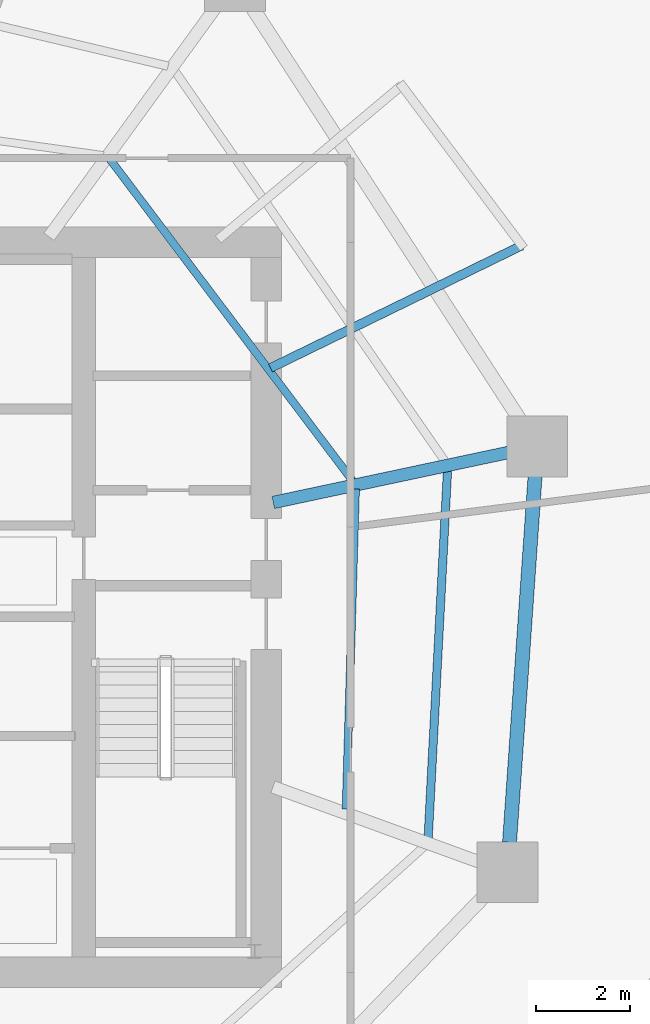
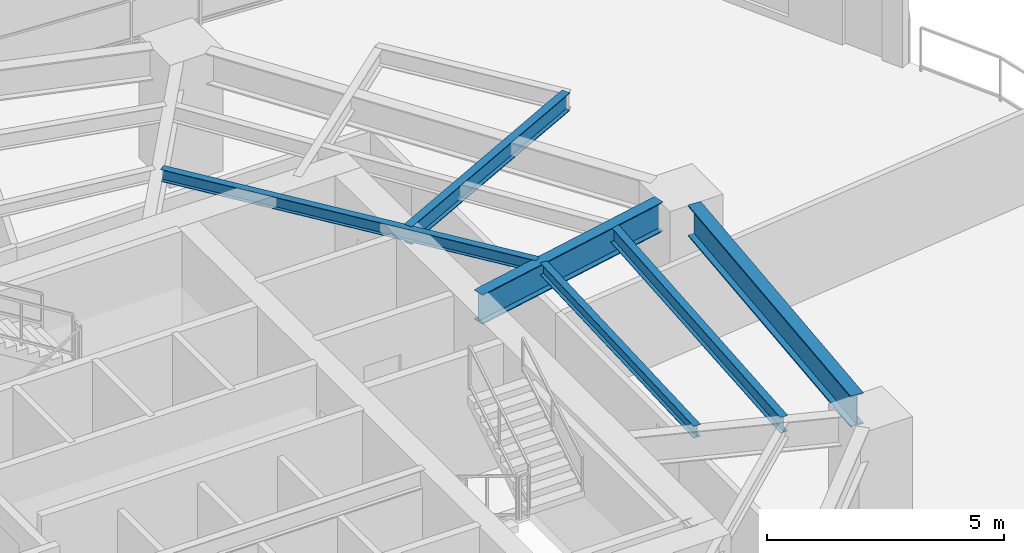
# One storey, part 12 of 28: 6 beams.
"""IFC4 building model written with IfcOpenShell, lengths in metres."""

from ifc_helpers import new_model, si_unit, direction, frame, origin, origin_2d, place, context, subcontext, project, spatial, i_section, extrude, material, material_profile, profile_set, type_object, element, save


model = new_model("IFC4")

# Units and contexts
model_context = context("Model", 3, precision=1e-05, world=origin(), true_north=direction((0.0, 1.0)))
body_context = subcontext(model_context, "Body", "Model", "MODEL_VIEW")
ifc_project = project(units=[si_unit("LENGTHUNIT", "METRE"), si_unit("AREAUNIT", "SQUARE_METRE"), si_unit("VOLUMEUNIT", "CUBIC_METRE"), si_unit("PLANEANGLEUNIT", "RADIAN"), si_unit("MASSUNIT", "GRAM", prefix="KILO")], contexts=[model_context])

# Site, building, storey
site_placement = place(None, origin())
site = spatial("IfcSite", under=ifc_project, at=site_placement, CompositionType="ELEMENT")
building_placement = place(site_placement, origin())
building = spatial("IfcBuilding", under=site, at=building_placement, Name="Qarnah Convention Tower", CompositionType="ELEMENT")
storey_placement = place(building_placement, frame((0.0, 0.0, 54.60009765625)))
storey = spatial("IfcBuildingStorey", under=building, at=storey_placement, Name="L13", CompositionType="ELEMENT", Elevation=54.60009765625)

# Beams
ifc_material = material(Name="Structural steel S355JR", Category="steel")
ifc_material_profile_1 = material_profile(ifc_material, i_section(OverallWidth=0.19189453125, OverallDepth=0.464111328125, WebThickness=0.010986328125, FlangeThickness=0.01806640625, at=origin_2d()), Name="W460X89")
ifc_profile_set_1 = profile_set([ifc_material_profile_1], Name="Structural steel S355JR")
beam_type_1 = type_object("IfcBeamType", Name="BM-CANT-W460A", PredefinedType="BEAM", material=ifc_profile_set_1)
beam_1_placement = place(storey_placement, frame((47.68994140625, 31.51611328125, 2.93798828125), z_axis=(0.898845814475, 0.438264990388, 0.0), x_axis=(-0.438264990388, 0.898845814475, 0.0)))
element("IfcBeam", 1, at=beam_1_placement, inside=storey, type_object=beam_type_1, Name="L13 beam BM-L13-CNT-01-1", PredefinedType="BEAM", context=body_context, shape_type="SweptSolid", body=[
    extrude(i_section(OverallWidth=0.19189453125, OverallDepth=0.464111328125, WebThickness=0.010986328125, FlangeThickness=0.01806640625, at=origin_2d()), origin(), (0.0, 0.0, 1.0), 5.973388671875),
])
ifc_material_profile_2 = material_profile(ifc_material, i_section(OverallWidth=0.166015625, OverallDepth=0.31201171875, WebThickness=0.007080078125, FlangeThickness=0.010986328125, at=origin_2d()), Name="W310X45")
ifc_profile_set_2 = profile_set([ifc_material_profile_2], Name="Structural steel S355JR")
beam_type_2 = type_object("IfcBeamType", Name="BM-JST-W310", PredefinedType="JOIST", material=ifc_profile_set_2)
beam_2_placement = place(storey_placement, frame((49.4560546875, 29.089111328125, 3.013916015625), z_axis=(-0.602443320638, 0.798161666217, 0.0), x_axis=(-0.798161666217, -0.602443320638, 0.0)))
element("IfcBeam", 2, at=beam_2_placement, inside=storey, type_object=beam_type_2, Name="L13 joist BM-L13-IJST-01", PredefinedType="JOIST", context=body_context, shape_type="SweptSolid", body=[
    extrude(i_section(OverallWidth=0.166015625, OverallDepth=0.31201171875, WebThickness=0.007080078125, FlangeThickness=0.010986328125, at=origin_2d()), origin(), (0.0, 0.0, 1.0), 8.623291015625),
])
beam_3_placement = place(storey_placement, frame((49.302978515625, 22.0859375, 3.013916015625), z_axis=(0.029821497478, 0.999555240238, 0.0), x_axis=(-0.999555240238, 0.029821497478, 0.0)))
element("IfcBeam", 3, at=beam_3_placement, inside=storey, type_object=beam_type_2, Name="L13 joist BM-L13-IJST-09", PredefinedType="JOIST", context=body_context, shape_type="SweptSolid", body=[
    extrude(i_section(OverallWidth=0.166015625, OverallDepth=0.31201171875, WebThickness=0.007080078125, FlangeThickness=0.010986328125, at=origin_2d()), origin(), (0.0, 0.0, 1.0), 6.843994140625),
])
ifc_material_profile_3 = material_profile(ifc_material, i_section(OverallWidth=0.177978515625, OverallDepth=0.407958984375, WebThickness=0.008056640625, FlangeThickness=0.012939453125, at=origin_2d()), Name="W410X60")
ifc_profile_set_3 = profile_set([ifc_material_profile_3], Name="Structural steel S355JR")
beam_type_3 = type_object("IfcBeamType", Name="BM-JST-W410", PredefinedType="JOIST", material=ifc_profile_set_3)
beam_4_placement = place(storey_placement, frame((51.056884765625, 21.448974609375, 2.9658203125), z_axis=(0.052613933491, 0.998614927789, 0.0), x_axis=(-0.998614927789, 0.052613933491, 0.0)))
element("IfcBeam", 4, at=beam_4_placement, inside=storey, type_object=beam_type_3, Name="L13 joist BM-L13-SJST-09", PredefinedType="JOIST", context=body_context, shape_type="SweptSolid", body=[
    extrude(i_section(OverallWidth=0.177978515625, OverallDepth=0.407958984375, WebThickness=0.008056640625, FlangeThickness=0.012939453125, at=origin_2d()), origin(), (0.0, 0.0, 1.0), 7.906982421875),
])
ifc_material_profile_4 = material_profile(ifc_material, i_section(OverallWidth=0.26806640625, OverallDepth=0.760009765625, WebThickness=0.014892578125, FlangeThickness=0.02197265625, at=origin_2d()), Name="W760X185")
ifc_profile_set_4 = profile_set([ifc_material_profile_4], Name="Structural steel S355JR")
beam_type_4 = type_object("IfcBeamType", Name="BM-RAD-W760", PredefinedType="BEAM", material=ifc_profile_set_4)
beam_5_placement = place(storey_placement, frame((47.7470703125, 28.64208984375, 2.789794921875), z_axis=(0.978155710431, 0.207873534031, 0.0), x_axis=(-0.207873534031, 0.978155710431, 0.0)))
element("IfcBeam", 5, at=beam_5_placement, inside=storey, type_object=beam_type_4, Name="L13 beam BM-L13-RAD-01", PredefinedType="BEAM", context=body_context, shape_type="SweptSolid", body=[
    extrude(i_section(OverallWidth=0.26806640625, OverallDepth=0.760009765625, WebThickness=0.014892578125, FlangeThickness=0.02197265625, at=origin_2d()), origin(), (0.0, 0.0, 1.0), 5.13720703125),
])
ifc_material_profile_5 = material_profile(ifc_material, i_section(OverallWidth=0.300048828125, OverallDepth=0.800048828125, WebThickness=0.01806640625, FlangeThickness=0.032958984375, at=origin_2d()), Name="HEB800")
ifc_profile_set_5 = profile_set([ifc_material_profile_5], Name="Structural steel S355JR")
beam_type_5 = type_object("IfcBeamType", Name="BM-RING-HEB800", PredefinedType="BEAM", material=ifc_profile_set_5)
beam_6_placement = place(storey_placement, frame((52.797119140625, 21.3779296875, 2.77001953125), z_axis=(0.069594661237, 0.997575352105, 0.0), x_axis=(-0.997575352105, 0.069594661237, 0.0)))
element("IfcBeam", 6, at=beam_6_placement, inside=storey, type_object=beam_type_5, Name="L13 beam BM-L13-SPN-09", PredefinedType="BEAM", context=body_context, shape_type="SweptSolid", body=[
    extrude(i_section(OverallWidth=0.300048828125, OverallDepth=0.800048828125, WebThickness=0.01806640625, FlangeThickness=0.032958984375, at=origin_2d()), origin(), (0.0, 0.0, 1.0), 7.843994140625),
])

save(model, "model.ifc")
